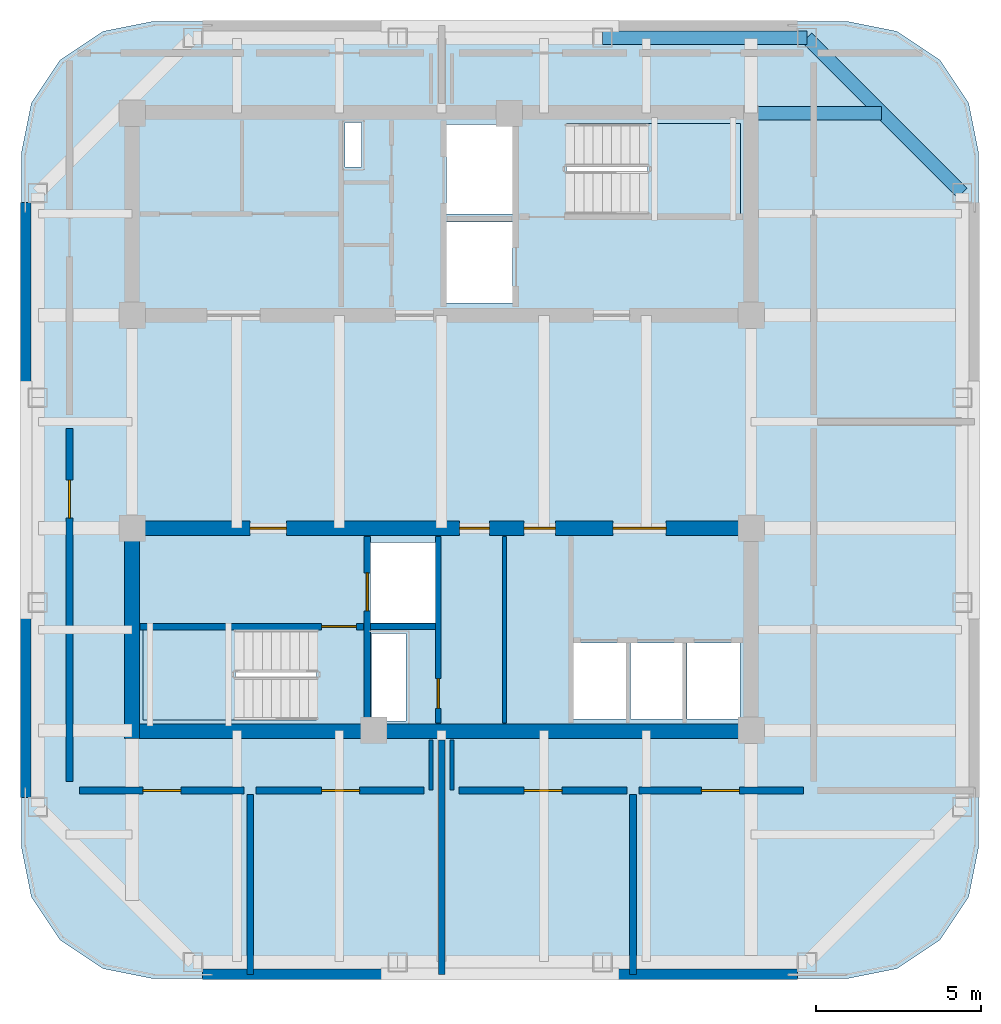
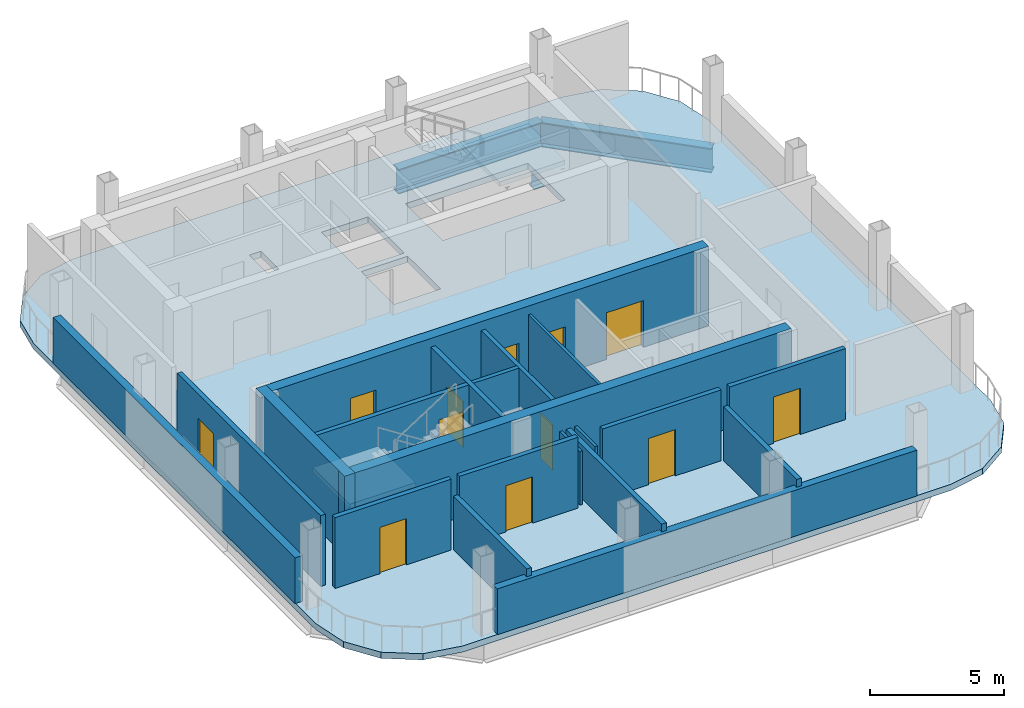
# One storey, part 2 of 7: 20 walls, 12 doors, 3 beams, 3 slabs, 12 openings, 2 elements without a shape of their own.
"""IFC4 building model written with IfcOpenShell, lengths in metres."""

from ifc_helpers import new_model, si_unit, direction, frame, frame_2d, origin, origin_2d, place, context, subcontext, project, spatial, polyline, rectangle, i_section, outline, extrude, material, layer, layer_set, material_profile, profile_set, type_object, element, fill, aggregate, save


model = new_model("IFC4")

# Units and contexts
model_context = context("Model", 3, precision=1e-05, world=origin(), true_north=direction((0.0, 1.0)))
body_context = subcontext(model_context, "Body", "Model", "MODEL_VIEW")
ifc_project = project(units=[si_unit("LENGTHUNIT", "METRE"), si_unit("AREAUNIT", "SQUARE_METRE"), si_unit("VOLUMEUNIT", "CUBIC_METRE"), si_unit("PLANEANGLEUNIT", "RADIAN"), si_unit("MASSUNIT", "GRAM", prefix="KILO")], contexts=[model_context])

# Site, building, storey
site_placement = place(None, origin())
site = spatial("IfcSite", under=ifc_project, at=site_placement, CompositionType="ELEMENT")
building_placement = place(site_placement, origin())
building = spatial("IfcBuilding", under=site, at=building_placement, Name="Qhalaya Broadcast Tower", CompositionType="ELEMENT")
storey_placement = place(building_placement, frame((0.0, 0.0, 234.89990234375)))
storey = spatial("IfcBuildingStorey", under=building, at=storey_placement, Name="L69", CompositionType="ELEMENT", Elevation=234.89990234375)

# Beams
ifc_material_1 = material(Name="Structural Steel ASTM A992 Grade 50", Category="steel")
ifc_material_profile = material_profile(ifc_material_1, i_section(OverallWidth=0.404052734375, OverallDepth=1.117919921875, WebThickness=0.026123046875, FlangeThickness=0.044921875, at=origin_2d()), Name="W44X335")
ifc_profile_set = profile_set([ifc_material_profile], Name="Structural Steel ASTM A992 Grade 50")
beam_type = type_object("IfcBeamType", Name="Podium Long-Span Primary Girder PG1", PredefinedType="USERDEFINED", material=ifc_profile_set)
beam_1_placement = place(storey_placement, frame((15.77001953125, 7.530029296875, -0.8388671875), z_axis=(-0.707106781187, 0.707106781187, 0.0), x_axis=(-0.707106781187, -0.707106781187, 0.0)))
element("IfcBeam", 1, at=beam_1_placement, inside=storey, type_object=beam_type, Name="L69 PG1 L69-SPR-08", ObjectType="GIRDER", PredefinedType="USERDEFINED", context=body_context, shape_type="SweptSolid", body=[
    extrude(i_section(OverallWidth=0.404052734375, OverallDepth=1.117919921875, WebThickness=0.026123046875, FlangeThickness=0.044921875, at=origin_2d()), origin(), (0.0, 0.0, 1.0), 6.646728515625),
])
beam_2_placement = place(storey_placement, frame((11.070068359375, 12.22998046875, -0.8388671875), z_axis=(-1.0, 0.0, 0.0), x_axis=(0.0, -1.0, 0.0)))
element("IfcBeam", 2, at=beam_2_placement, inside=storey, type_object=beam_type, Name="L69 PG1 L69-SPR-09", ObjectType="GIRDER", PredefinedType="USERDEFINED", context=body_context, shape_type="SweptSolid", body=[
    extrude(i_section(OverallWidth=0.404052734375, OverallDepth=1.117919921875, WebThickness=0.026123046875, FlangeThickness=0.044921875, at=origin_2d()), origin(), (0.0, 0.0, 1.0), 6.199951171875),
])
beam_3_placement = place(storey_placement, frame((9.375, 9.949951171875, -0.8388671875), z_axis=(1.0, 0.0, 0.0), x_axis=(0.0, 1.0, 0.0)))
element("IfcBeam", 3, at=beam_3_placement, inside=storey, type_object=beam_type, Name="L69 PG1 L69-PGYE4-1", ObjectType="GIRDER", PredefinedType="USERDEFINED", context=body_context, shape_type="SweptSolid", body=[
    extrude(i_section(OverallWidth=0.404052734375, OverallDepth=1.117919921875, WebThickness=0.026123046875, FlangeThickness=0.044921875, at=origin_2d()), origin(), (0.0, 0.0, 1.0), 3.94677734375),
])

# Slab
ifc_material_2 = material(Name="Concrete C40/50", Category="concrete")
ifc_layer_1 = layer(ifc_material_2, 0.280029296875, Name="Concrete C40/50")
ifc_layer_set_1 = layer_set([ifc_layer_1], Name="Concrete C40/50")
slab_type_1 = type_object("IfcSlabType", Name="Plant & Refuge Heavy Duty Floor Slab 280", PredefinedType="FLOOR", material=ifc_layer_set_1)
slab_1_placement = place(storey_placement, frame((0.0, 0.0, -0.27978515625)))
element("IfcSlab", 4, at=slab_1_placement, inside=storey, type_object=slab_type_1, Name="L69 Main Structural Floor Slab", PredefinedType="FLOOR", context=body_context, shape_type="SweptSolid", body=[
    extrude(outline(polyline([(12.27001953125, -16.27001953125), (13.80078125, -15.965576171875), (15.098388671875, -15.098388671875), (15.965576171875, -13.80078125), (16.27001953125, -12.27001953125), (16.27001953125, 8.72998046875), (15.965576171875, 10.2607421875), (15.098388671875, 11.558349609375), (13.80078125, 12.425537109375), (12.27001953125, 12.72998046875), (-8.72998046875, 12.72998046875), (-10.2607421875, 12.425537109375), (-11.558349609375, 11.558349609375), (-12.425537109375, 10.2607421875), (-12.72998046875, 8.72998046875), (-12.72998046875, -12.27001953125), (-12.425537109375, -13.80078125), (-11.558349609375, -15.098388671875), (-10.2607421875, -15.965576171875), (-8.72998046875, -16.27001953125), (12.27001953125, -16.27001953125)]), holes=[polyline([(3.784912109375, 9.639892578125), (9.050048828125, 9.639892578125), (9.050048828125, 6.8798828125), (3.784912109375, 6.8798828125), (3.784912109375, 9.639892578125)]), polyline([(-3.784912109375, -8.43994140625), (-9.050048828125, -8.43994140625), (-9.050048828125, -5.679931640625), (-3.784912109375, -5.679931640625), (-3.784912109375, -8.43994140625)]), polyline([(0.14990234375, 6.64990234375), (2.14990234375, 6.64990234375), (2.14990234375, 4.199951171875), (0.14990234375, 4.199951171875), (0.14990234375, 6.64990234375)]), polyline([(0.14990234375, 9.60009765625), (2.14990234375, 9.60009765625), (2.14990234375, 6.89990234375), (0.14990234375, 6.89990234375), (0.14990234375, 9.60009765625)]), polyline([(-2.14990234375, -3.050048828125), (-0.14990234375, -3.050048828125), (-0.14990234375, -5.5), (-2.14990234375, -5.5), (-2.14990234375, -3.050048828125)]), polyline([(4.0, -6.10009765625), (5.60009765625, -6.10009765625), (5.60009765625, -8.39990234375), (4.0, -8.39990234375), (4.0, -6.10009765625)]), polyline([(5.719970703125, -6.10009765625), (7.320068359375, -6.10009765625), (7.320068359375, -8.39990234375), (5.719970703125, -8.39990234375), (5.719970703125, -6.10009765625)]), polyline([(7.43994140625, -6.10009765625), (9.0400390625, -6.10009765625), (9.0400390625, -8.39990234375), (7.43994140625, -8.39990234375), (7.43994140625, -6.10009765625)]), polyline([(-2.919921875, 9.659912109375), (-2.419921875, 9.659912109375), (-2.419921875, 8.320068359375), (-2.919921875, 8.320068359375), (-2.919921875, 9.659912109375)]), polyline([(-2.1201171875, -5.820068359375), (-1.080078125, -5.820068359375), (-1.080078125, -8.4599609375), (-2.1201171875, -8.4599609375), (-2.1201171875, -5.820068359375)])]), origin(), (0.0, 0.0, 1.0), 0.27978515625),
])

# Stair, slab
stair_type = type_object("IfcStairType", Name="Protected Dogleg Core Stair 3600", PredefinedType="TWO_STRAIGHT_RUN_STAIR", material=ifc_material_2)
stair_1_placement = place(storey_placement, origin())
stair_1 = element("IfcStair", 5, at=stair_1_placement, inside=storey, type_object=stair_type, Name="L69 North Core Exit Stair ST-1", PredefinedType="TWO_STRAIGHT_RUN_STAIR")
ifc_layer_2 = layer(ifc_material_2, 0.199951171875, Name="Concrete C40/50")
ifc_layer_set_2 = layer_set([ifc_layer_2], Name="Concrete C40/50")
slab_type_2 = type_object("IfcSlabType", Name="Stair & Ramp Half-Landing Slab 200", PredefinedType="LANDING", material=ifc_layer_set_2)
slab_2_placement = place(storey_placement, frame((0.0, 0.0, 1.60009765625)))
slab_2 = element("IfcSlab", 6, at=slab_2_placement, type_object=slab_type_2, Name="ST-1 landing 1", PredefinedType="LANDING", context=body_context, shape_type="SweptSolid", body=[
    extrude(outline(polyline([(6.235107421875, 6.8798828125), (9.050048828125, 6.8798828125), (9.050048828125, 9.639892578125), (6.235107421875, 9.639892578125), (6.235107421875, 6.8798828125)])), origin(), (0.0, 0.0, 1.0), 0.199951171875),
])
aggregate(stair_1, [slab_2])

stair_2_placement = place(storey_placement, origin())
stair_2 = element("IfcStair", 7, at=stair_2_placement, inside=storey, type_object=stair_type, Name="L69 South Core Exit Stair ST-2", PredefinedType="TWO_STRAIGHT_RUN_STAIR")
slab_3_placement = place(storey_placement, frame((0.0, 0.0, 1.60009765625)))
slab_3 = element("IfcSlab", 8, at=slab_3_placement, type_object=slab_type_2, Name="ST-2 landing 1", PredefinedType="LANDING", context=body_context, shape_type="SweptSolid", body=[
    extrude(outline(polyline([(-6.235107421875, -5.679931640625), (-9.050048828125, -5.679931640625), (-9.050048828125, -8.43994140625), (-6.235107421875, -8.43994140625), (-6.235107421875, -5.679931640625)])), origin(), (0.0, 0.0, 1.0), 0.199951171875),
])
aggregate(stair_2, [slab_3])

# Wall
ifc_material_3 = material(Name="Gypsum Acoustic Partition")
ifc_layer_3 = layer(ifc_material_3, 0.199951171875, Name="Gypsum Acoustic Partition")
ifc_layer_set_3 = layer_set([ifc_layer_3], Name="Gypsum Acoustic Partition")
wall_type_1 = type_object("IfcWallType", Name="Firefighting Lobby & Stair Enclosure Wall 200", PredefinedType="PARTITIONING", material=ifc_layer_set_3)
wall_1_placement = place(storey_placement, frame((0.0, -16.14990234375, 0.0), z_axis=(0.0, 0.0, 1.0), x_axis=(0.0, 1.0, 0.0)))
element("IfcWall", 9, at=wall_1_placement, inside=storey, type_object=wall_type_1, Name="L69 Partition Wall W-OBS", PredefinedType="PARTITIONING", context=body_context, shape_type="SweptSolid", body=[
    extrude(rectangle(XDim=7.10986328125, YDim=0.199951171875, at=frame_2d((3.554931640625, 0.0))), origin(), (0.0, 0.0, 1.0), 2.43798828125),
])

# Wall, opening, door
wall_2_placement = place(storey_placement, frame((-10.969970703125, -10.570068359375, 0.0), z_axis=(0.0, 0.0, 1.0), x_axis=(1.0, 0.0, 0.0)))
wall_2 = element("IfcWall", 10, at=wall_2_placement, inside=storey, type_object=wall_type_1, Name="L69 Partition Wall W-PCS0", PredefinedType="PARTITIONING", context=body_context, shape_type="SweptSolid", body=[
    extrude(rectangle(XDim=4.989990234375, YDim=0.199951171875, at=frame_2d((2.4951171875, 0.0))), origin(), (0.0, 0.0, 1.0), 3.22021484375),
])
opening_1_placement = place(wall_2_placement, frame((1.919921875, 0.0, 0.0)))
opening_1 = element("IfcOpeningElement", 11, at=opening_1_placement, cuts=wall_2, Name="Opening D05", PredefinedType="OPENING", context=body_context, shape_type="SweptSolid", body=[
    extrude(rectangle(XDim=1.14990234375, YDim=2.10009765625, at=frame_2d((0.574951171875, 1.050048828125))), frame((0.0, 0.112060546875, 0.0), z_axis=(0.0, -1.0, 0.0), x_axis=(1.0, 0.0, 0.0)), (0.0, 0.0, 1.0), 0.223876953125),
])
ifc_material_4 = material(Name="Fire-Rated Steel Door", Category="steel")
door_type_1 = type_object("IfcDoorType", Name="Refuge & Plant Room Fire Door D05", OperationType="NOTDEFINED", PredefinedType="DOOR", material=ifc_material_4)
door_1_placement = place(opening_1_placement, origin())
door_1 = element("IfcDoor", 12, at=door_1_placement, inside=storey, type_object=door_type_1, Name="L69 Door D-PCS0", OperationType="SINGLE_SWING_RIGHT", OverallHeight=2.10009765625, OverallWidth=1.14990234375, PredefinedType="DOOR", context=body_context, shape_type="SweptSolid", body=[
    extrude(rectangle(XDim=1.14990234375, YDim=2.10009765625, at=frame_2d((0.574951171875, 1.050048828125))), frame((0.0, 0.02490234375, 0.0), z_axis=(0.0, -1.0, 0.0), x_axis=(1.0, 0.0, 0.0)), (0.0, 0.0, 1.0), 0.050048828125),
])
fill(opening_1, door_1)

# Wall
wall_3_placement = place(storey_placement, frame((-5.800048828125, -16.14990234375, 0.0), z_axis=(0.0, 0.0, 1.0), x_axis=(0.0, 1.0, 0.0)))
element("IfcWall", 13, at=wall_3_placement, inside=storey, type_object=wall_type_1, Name="L69 Partition Wall W-PDS1", PredefinedType="PARTITIONING", context=body_context, shape_type="SweptSolid", body=[
    extrude(rectangle(XDim=5.4599609375, YDim=0.199951171875, at=frame_2d((2.72998046875, 0.0))), origin(), (0.0, 0.0, 1.0), 2.43798828125),
])

# Wall, opening, door
wall_4_placement = place(storey_placement, frame((-5.6201171875, -10.570068359375, 0.0), z_axis=(0.0, 0.0, 1.0), x_axis=(1.0, 0.0, 0.0)))
wall_4 = element("IfcWall", 14, at=wall_4_placement, inside=storey, type_object=wall_type_1, Name="L69 Partition Wall W-PCS1", PredefinedType="PARTITIONING", context=body_context, shape_type="SweptSolid", body=[
    extrude(rectangle(XDim=5.090087890625, YDim=0.199951171875, at=frame_2d((2.544921875, 0.0))), origin(), (0.0, 0.0, 1.0), 3.22021484375),
])
opening_2_placement = place(wall_4_placement, frame((1.989990234375, 0.0, 0.0)))
opening_2 = element("IfcOpeningElement", 15, at=opening_2_placement, cuts=wall_4, Name="Opening D05", PredefinedType="OPENING", context=body_context, shape_type="SweptSolid", body=[
    extrude(rectangle(XDim=1.14990234375, YDim=2.10009765625, at=frame_2d((0.574951171875, 1.050048828125))), frame((0.0, 0.112060546875, 0.0), z_axis=(0.0, -1.0, 0.0), x_axis=(1.0, 0.0, 0.0)), (0.0, 0.0, 1.0), 0.223876953125),
])
door_2_placement = place(opening_2_placement, origin())
door_2 = element("IfcDoor", 16, at=door_2_placement, inside=storey, type_object=door_type_1, Name="L69 Door D-PCS1", OperationType="SINGLE_SWING_RIGHT", OverallHeight=2.10009765625, OverallWidth=1.14990234375, PredefinedType="DOOR", context=body_context, shape_type="SweptSolid", body=[
    extrude(rectangle(XDim=1.14990234375, YDim=2.10009765625, at=frame_2d((0.574951171875, 1.050048828125))), frame((0.0, 0.02490234375, 0.0), z_axis=(0.0, -1.0, 0.0), x_axis=(1.0, 0.0, 0.0)), (0.0, 0.0, 1.0), 0.050048828125),
])
fill(opening_2, door_2)

wall_5_placement = place(storey_placement, frame((0.530029296875, -10.570068359375, 0.0), z_axis=(0.0, 0.0, 1.0), x_axis=(1.0, 0.0, 0.0)))
wall_5 = element("IfcWall", 17, at=wall_5_placement, inside=storey, type_object=wall_type_1, Name="L69 Partition Wall W-PCS2", PredefinedType="PARTITIONING", context=body_context, shape_type="SweptSolid", body=[
    extrude(rectangle(XDim=5.090087890625, YDim=0.199951171875, at=frame_2d((2.544921875, 0.0))), origin(), (0.0, 0.0, 1.0), 3.22021484375),
])
opening_3_placement = place(wall_5_placement, frame((1.969970703125, 0.0, 0.0)))
opening_3 = element("IfcOpeningElement", 18, at=opening_3_placement, cuts=wall_5, Name="Opening D05", PredefinedType="OPENING", context=body_context, shape_type="SweptSolid", body=[
    extrude(rectangle(XDim=1.14990234375, YDim=2.10009765625, at=frame_2d((0.574951171875, 1.050048828125))), frame((0.0, 0.112060546875, 0.0), z_axis=(0.0, -1.0, 0.0), x_axis=(1.0, 0.0, 0.0)), (0.0, 0.0, 1.0), 0.223876953125),
])
door_3_placement = place(opening_3_placement, origin())
door_3 = element("IfcDoor", 19, at=door_3_placement, inside=storey, type_object=door_type_1, Name="L69 Door D-PCS2", OperationType="SINGLE_SWING_RIGHT", OverallHeight=2.10009765625, OverallWidth=1.14990234375, PredefinedType="DOOR", context=body_context, shape_type="SweptSolid", body=[
    extrude(rectangle(XDim=1.14990234375, YDim=2.10009765625, at=frame_2d((0.574951171875, 1.050048828125))), frame((0.0, 0.02490234375, 0.0), z_axis=(0.0, -1.0, 0.0), x_axis=(1.0, 0.0, 0.0)), (0.0, 0.0, 1.0), 0.050048828125),
])
fill(opening_3, door_3)

# Wall
wall_6_placement = place(storey_placement, frame((5.800048828125, -16.14990234375, 0.0), z_axis=(0.0, 0.0, 1.0), x_axis=(0.0, 1.0, 0.0)))
element("IfcWall", 20, at=wall_6_placement, inside=storey, type_object=wall_type_1, Name="L69 Partition Wall W-PDS3", PredefinedType="PARTITIONING", context=body_context, shape_type="SweptSolid", body=[
    extrude(rectangle(XDim=5.4599609375, YDim=0.199951171875, at=frame_2d((2.72998046875, 0.0))), origin(), (0.0, 0.0, 1.0), 2.43798828125),
])

# Wall, opening, door
wall_7_placement = place(storey_placement, frame((5.97998046875, -10.570068359375, 0.0), z_axis=(0.0, 0.0, 1.0), x_axis=(1.0, 0.0, 0.0)))
wall_7 = element("IfcWall", 21, at=wall_7_placement, inside=storey, type_object=wall_type_1, Name="L69 Partition Wall W-PCS3", PredefinedType="PARTITIONING", context=body_context, shape_type="SweptSolid", body=[
    extrude(rectangle(XDim=4.989990234375, YDim=0.199951171875, at=frame_2d((2.4951171875, 0.0))), origin(), (0.0, 0.0, 1.0), 3.22021484375),
])
opening_4_placement = place(wall_7_placement, frame((1.889892578125, 0.0, 0.0)))
opening_4 = element("IfcOpeningElement", 22, at=opening_4_placement, cuts=wall_7, Name="Opening D05", PredefinedType="OPENING", context=body_context, shape_type="SweptSolid", body=[
    extrude(rectangle(XDim=1.14990234375, YDim=2.10009765625, at=frame_2d((0.574951171875, 1.050048828125))), frame((0.0, 0.112060546875, 0.0), z_axis=(0.0, -1.0, 0.0), x_axis=(1.0, 0.0, 0.0)), (0.0, 0.0, 1.0), 0.223876953125),
])
door_4_placement = place(opening_4_placement, origin())
door_4 = element("IfcDoor", 23, at=door_4_placement, inside=storey, type_object=door_type_1, Name="L69 Door D-PCS3", OperationType="SINGLE_SWING_RIGHT", OverallHeight=2.10009765625, OverallWidth=1.14990234375, PredefinedType="DOOR", context=body_context, shape_type="SweptSolid", body=[
    extrude(rectangle(XDim=1.14990234375, YDim=2.10009765625, at=frame_2d((0.574951171875, 1.050048828125))), frame((0.0, 0.02490234375, 0.0), z_axis=(0.0, -1.0, 0.0), x_axis=(1.0, 0.0, 0.0)), (0.0, 0.0, 1.0), 0.050048828125),
])
fill(opening_4, door_4)

wall_8_placement = place(storey_placement, frame((-11.27001953125, 0.389892578125, 0.0), z_axis=(0.0, 0.0, 1.0), x_axis=(0.0, -1.0, 0.0)))
wall_8 = element("IfcWall", 24, at=wall_8_placement, inside=storey, type_object=wall_type_1, Name="L69 Partition Wall W-PCW1", PredefinedType="PARTITIONING", context=body_context, shape_type="SweptSolid", body=[
    extrude(rectangle(XDim=10.679931640625, YDim=0.199951171875, at=frame_2d((5.33984375, 0.0))), origin(), (0.0, 0.0, 1.0), 3.22021484375),
])
opening_5_placement = place(wall_8_placement, frame((1.56103515625, 0.0, 0.0)))
opening_5 = element("IfcOpeningElement", 25, at=opening_5_placement, cuts=wall_8, Name="Opening D05", PredefinedType="OPENING", context=body_context, shape_type="SweptSolid", body=[
    extrude(rectangle(XDim=1.14990234375, YDim=2.10009765625, at=frame_2d((0.574951171875, 1.050048828125))), frame((0.0, 0.112060546875, 0.0), z_axis=(0.0, -1.0, 0.0), x_axis=(1.0, 0.0, 0.0)), (0.0, 0.0, 1.0), 0.223876953125),
])
door_5_placement = place(opening_5_placement, origin())
door_5 = element("IfcDoor", 26, at=door_5_placement, inside=storey, type_object=door_type_1, Name="L69 Door D-PCW1", OperationType="SINGLE_SWING_LEFT", OverallHeight=2.10009765625, OverallWidth=1.14990234375, PredefinedType="DOOR", context=body_context, shape_type="SweptSolid", body=[
    extrude(rectangle(XDim=1.14990234375, YDim=2.10009765625, at=frame_2d((0.574951171875, 1.050048828125))), frame((0.0, 0.02490234375, 0.0), z_axis=(0.0, -1.0, 0.0), x_axis=(1.0, 0.0, 0.0)), (0.0, 0.0, 1.0), 0.050048828125),
])
fill(opening_5, door_5)

ifc_material_5 = material(Name="Concrete C50/60", Category="concrete")
ifc_layer_4 = layer(ifc_material_5, 0.199951171875, Name="Concrete C50/60")
ifc_layer_set_4 = layer_set([ifc_layer_4], Name="Concrete C50/60")
wall_type_2 = type_object("IfcWallType", Name="Load-Bearing Stair Shaft Wall 200", PredefinedType="SHEAR", material=ifc_layer_set_4)
wall_9_placement = place(storey_placement, frame((-9.1298828125, -5.60498046875, 0.0), z_axis=(0.0, 0.0, 1.0), x_axis=(1.0, 0.0, 0.0)))
wall_9 = element("IfcWall", 27, at=wall_9_placement, inside=storey, type_object=wall_type_2, Name="L69 Stair Core Shear Wall SCW-ST2", PredefinedType="SHEAR", context=body_context, shape_type="SweptSolid", body=[
    extrude(rectangle(XDim=6.769775390625, YDim=0.199951171875, at=frame_2d((3.384765625, 0.0))), origin(), (0.0, 0.0, 1.0), 3.22021484375),
])
opening_6_placement = place(wall_9_placement, frame((5.5, 0.0, 0.0)))
opening_6 = element("IfcOpeningElement", 28, at=opening_6_placement, cuts=wall_9, Name="Opening D03", PredefinedType="OPENING", context=body_context, shape_type="SweptSolid", body=[
    extrude(rectangle(XDim=1.050048828125, YDim=2.080078125, at=frame_2d((0.52490234375, 1.0400390625))), frame((0.0, 0.112060546875, 0.0), z_axis=(0.0, -1.0, 0.0), x_axis=(1.0, 0.0, 0.0)), (0.0, 0.0, 1.0), 0.223876953125),
])
door_type_2 = type_object("IfcDoorType", Name="Core Stair Protected Fire Door D03", OperationType="NOTDEFINED", PredefinedType="DOOR", material=ifc_material_4)
door_6_placement = place(opening_6_placement, origin())
door_6 = element("IfcDoor", 29, at=door_6_placement, inside=storey, type_object=door_type_2, Name="L69 Door D-SST2", OperationType="SINGLE_SWING_RIGHT", OverallHeight=2.080078125, OverallWidth=1.050048828125, PredefinedType="DOOR", context=body_context, shape_type="SweptSolid", body=[
    extrude(rectangle(XDim=1.050048828125, YDim=2.080078125, at=frame_2d((0.52490234375, 1.0400390625))), frame((0.0, 0.02490234375, 0.0), z_axis=(0.0, -1.0, 0.0), x_axis=(1.0, 0.0, 0.0)), (0.0, 0.0, 1.0), 0.050048828125),
])
fill(opening_6, door_6)

wall_10_placement = place(storey_placement, frame((-2.25, -8.530029296875, 0.0), z_axis=(0.0, 0.0, 1.0), x_axis=(0.0, 1.0, 0.0)))
wall_10 = element("IfcWall", 30, at=wall_10_placement, inside=storey, type_object=wall_type_2, Name="L69 Stair Core Shear Wall SCW-FF", PredefinedType="SHEAR", context=body_context, shape_type="SweptSolid", body=[
    extrude(rectangle(XDim=5.659912109375, YDim=0.199951171875, at=frame_2d((2.830078125, 0.0))), origin(), (0.0, 0.0, 1.0), 3.22021484375),
])
opening_7_placement = place(wall_10_placement, frame((3.39990234375, 0.0, 0.0)))
opening_7 = element("IfcOpeningElement", 31, at=opening_7_placement, cuts=wall_10, Name="Opening LD2", PredefinedType="OPENING", context=body_context, shape_type="SweptSolid", body=[
    extrude(rectangle(XDim=1.14990234375, YDim=2.080078125, at=frame_2d((0.574951171875, 1.0400390625))), frame((0.0, 0.112060546875, 0.0), z_axis=(0.0, -1.0, 0.0), x_axis=(1.0, 0.0, 0.0)), (0.0, 0.0, 1.0), 0.223876953125),
])
ifc_material_6 = material(Name="Brushed Stainless Steel Lift Door", Category="steel")
door_type_3 = type_object("IfcDoorType", Name="Firefighting Lift Sliding Landing Door LD2", OperationType="DOUBLE_DOOR_SLIDING", PredefinedType="DOOR", material=ifc_material_6)
door_7_placement = place(opening_7_placement, origin())
door_7 = element("IfcDoor", 32, at=door_7_placement, inside=storey, type_object=door_type_3, Name="L69 Door LD-FF2", OperationType="DOUBLE_DOOR_SLIDING", OverallHeight=2.080078125, OverallWidth=1.14990234375, PredefinedType="DOOR", context=body_context, shape_type="SweptSolid", body=[
    extrude(rectangle(XDim=1.14990234375, YDim=2.080078125, at=frame_2d((0.574951171875, 1.0400390625))), frame((0.0, 0.02490234375, 0.0), z_axis=(0.0, -1.0, 0.0), x_axis=(1.0, 0.0, 0.0)), (0.0, 0.0, 1.0), 0.050048828125),
])
fill(opening_7, door_7)

# Walls
ifc_layer_5 = layer(ifc_material_3, 0.1201171875, Name="Gypsum Acoustic Partition")
ifc_layer_set_5 = layer_set([ifc_layer_5], Name="Gypsum Acoustic Partition")
wall_type_3 = type_object("IfcWallType", Name="Office, Booth & Sanitary Partition 120", PredefinedType="PARTITIONING", material=ifc_layer_set_5)
wall_11_placement = place(storey_placement, frame((1.89990234375, -8.530029296875, 0.0), z_axis=(0.0, 0.0, 1.0), x_axis=(0.0, 1.0, 0.0)))
element("IfcWall", 33, at=wall_11_placement, inside=storey, type_object=wall_type_3, Name="L69 Partition Wall SCW-RKB", PredefinedType="PARTITIONING", context=body_context, shape_type="SweptSolid", body=[
    extrude(rectangle(XDim=5.659912109375, YDim=0.1201171875, at=frame_2d((2.830078125, 0.0))), origin(), (0.0, 0.0, 1.0), 3.22021484375),
])
for number, where, z_axis, x_axis, name in (
    (34, (-0.320068359375, -10.550048828125, 0.0), (0.0, 0.0, 1.0), (0.0, 1.0, 0.0), "L69 Partition Wall W-OBSCW"),
    (35, (0.320068359375, -10.550048828125, 0.0), (0.0, 0.0, 1.0), (0.0, 1.0, 0.0), "L69 Partition Wall W-OBSCE"),
):
    element("IfcWall", number, at=place(storey_placement, frame(where, z_axis=z_axis, x_axis=x_axis)), inside=storey, type_object=wall_type_3, Name=name, PredefinedType="PARTITIONING", context=body_context, shape_type="SweptSolid", body=[
        extrude(rectangle(XDim=1.510009765625, YDim=0.1201171875, at=frame_2d((0.7548828125, 0.0))), origin(), (0.0, 0.0, 1.0), 2.43798828125),
    ])
ifc_material_7 = material(Name="Precast Concrete C40/50", Category="concrete")
ifc_layer_6 = layer(ifc_material_7, 0.320068359375, Name="Precast Concrete C40/50")
ifc_layer_set_6 = layer_set([ifc_layer_6], Name="Precast Concrete C40/50")
wall_type_4 = type_object("IfcWallType", Name="Recessed Neck Insulated Exterior Wall 320", PredefinedType="SOLIDWALL", material=ifc_layer_set_6)
for number, where, z_axis, x_axis, name in (
    (36, (10.781982421875, -16.1298828125, 0.0), (0.0, 0.0, 1.0), (-1.0, 0.0, 0.0), "L69 Exterior Facade Wall S"),
    (37, (-12.590087890625, -10.781982421875, 0.0), (0.0, 0.0, 1.0), (0.0, 1.0, 0.0), "L69 Exterior Facade Wall W"),
):
    element("IfcWall", number, at=place(storey_placement, frame(where, z_axis=z_axis, x_axis=x_axis)), inside=storey, type_object=wall_type_4, Name=name, PredefinedType="SOLIDWALL", context=body_context, shape_type="SweptSolid", body=[
        extrude(rectangle(XDim=18.02392578125, YDim=0.320068359375, at=frame_2d((9.011962890625, 0.0))), origin(), (0.0, 0.0, 1.0), 2.08203125),
    ])

# Wall, opening, door
ifc_layer_7 = layer(ifc_material_3, 0.175048828125, Name="Gypsum Acoustic Partition")
ifc_layer_set_7 = layer_set([ifc_layer_7], Name="Gypsum Acoustic Partition")
wall_type_5 = type_object("IfcWallType", Name="Shaft & Riser Fire Partition 175", PredefinedType="PARTITIONING", material=ifc_layer_set_7)
wall_12_placement = place(storey_placement, frame((-0.10009765625, -8.530029296875, 0.0), z_axis=(0.0, 0.0, 1.0), x_axis=(0.0, 1.0, 0.0)))
wall_12 = element("IfcWall", 38, at=wall_12_placement, inside=storey, type_object=wall_type_5, Name="L69 Partition Wall SCW-FFE", PredefinedType="PARTITIONING", context=body_context, shape_type="SweptSolid", body=[
    extrude(rectangle(XDim=5.659912109375, YDim=0.175048828125, at=frame_2d((2.830078125, 0.0))), origin(), (0.0, 0.0, 1.0), 3.22021484375),
])
opening_8_placement = place(wall_12_placement, frame((0.449951171875, 0.0, 0.0)))
opening_8 = element("IfcOpeningElement", 39, at=opening_8_placement, cuts=wall_12, Name="Opening D06", PredefinedType="OPENING", context=body_context, shape_type="SweptSolid", body=[
    extrude(rectangle(XDim=0.89990234375, YDim=2.050048828125, at=frame_2d((0.449951171875, 1.02490234375))), frame((0.0, 0.099609375, 0.0), z_axis=(0.0, -1.0, 0.0), x_axis=(1.0, 0.0, 0.0)), (0.0, 0.0, 1.0), 0.198974609375),
])
door_type_4 = type_object("IfcDoorType", Name="Riser & Electrical Shaft Access Door D06", OperationType="NOTDEFINED", PredefinedType="DOOR", material=ifc_material_4)
door_8_placement = place(opening_8_placement, origin())
door_8 = element("IfcDoor", 40, at=door_8_placement, inside=storey, type_object=door_type_4, Name="L69 Riser Shaft Access Door D-SRSR", OperationType="SINGLE_SWING_LEFT", OverallHeight=2.050048828125, OverallWidth=0.89990234375, PredefinedType="DOOR", context=body_context, shape_type="SweptSolid", body=[
    extrude(rectangle(XDim=0.89990234375, YDim=2.050048828125, at=frame_2d((0.449951171875, 1.02490234375))), frame((0.0, 0.02490234375, 0.0), z_axis=(0.0, -1.0, 0.0), x_axis=(1.0, 0.0, 0.0)), (0.0, 0.0, 1.0), 0.050048828125),
])
fill(opening_8, door_8)

# Walls
wall_13_placement = place(storey_placement, frame((-2.14990234375, -5.60009765625, 0.0), z_axis=(0.0, 0.0, 1.0), x_axis=(1.0, 0.0, 0.0)))
element("IfcWall", 41, at=wall_13_placement, inside=storey, type_object=wall_type_5, Name="L69 Partition Wall SCW-FFM", PredefinedType="PARTITIONING", context=body_context, shape_type="SweptSolid", body=[
    extrude(rectangle(XDim=1.969970703125, YDim=0.175048828125, at=frame_2d((0.98486328125, 0.0))), origin(), (0.0, 0.0, 1.0), 3.22021484375),
])
ifc_layer_8 = layer(ifc_material_5, 0.449951171875, Name="Concrete C50/60")
ifc_layer_set_8 = layer_set([ifc_layer_8], Name="Concrete C50/60")
wall_type_6 = type_object("IfcWallType", Name="Upper Split-Core Shear Wall 450", PredefinedType="SHEAR", material=ifc_layer_set_8)
wall_14_placement = place(storey_placement, frame((-9.60009765625, -8.77490234375, 0.0), z_axis=(0.0, 0.0, 1.0), x_axis=(1.0, 0.0, 0.0)))
element("IfcWall", 42, at=wall_14_placement, inside=storey, type_object=wall_type_6, Name="L69 Split-Core Shear Wall CW-SS", PredefinedType="SHEAR", context=body_context, shape_type="SweptSolid", body=[
    extrude(rectangle(XDim=19.2001953125, YDim=0.449951171875, at=frame_2d((9.60009765625, 0.0))), origin(), (0.0, 0.0, 1.0), 3.60009765625),
])

# Wall, openings, doors
wall_15_placement = place(storey_placement, frame((-9.60009765625, -2.625, 0.0), z_axis=(0.0, 0.0, 1.0), x_axis=(1.0, 0.0, 0.0)))
wall_15 = element("IfcWall", 43, at=wall_15_placement, inside=storey, type_object=wall_type_6, Name="L69 Split-Core Shear Wall CW-SN", PredefinedType="SHEAR", context=body_context, shape_type="SweptSolid", body=[
    extrude(rectangle(XDim=19.2001953125, YDim=0.449951171875, at=frame_2d((9.60009765625, 0.0))), origin(), (0.0, 0.0, 1.0), 3.60009765625),
])
opening_9_placement = place(wall_15_placement, frame((3.800048828125, 0.0, 0.0)))
opening_9 = element("IfcOpeningElement", 44, at=opening_9_placement, cuts=wall_15, Name="Opening D04", PredefinedType="OPENING", context=body_context, shape_type="SweptSolid", body=[
    extrude(rectangle(XDim=1.10009765625, YDim=2.080078125, at=frame_2d((0.550048828125, 1.0400390625))), frame((0.0, 0.237060546875, 0.0), z_axis=(0.0, -1.0, 0.0), x_axis=(1.0, 0.0, 0.0)), (0.0, 0.0, 1.0), 0.473876953125),
])
opening_10_placement = place(wall_15_placement, frame((10.14990234375, 0.0, 0.0)))
opening_10 = element("IfcOpeningElement", 45, at=opening_10_placement, cuts=wall_15, Name="Opening D06", PredefinedType="OPENING", context=body_context, shape_type="SweptSolid", body=[
    extrude(rectangle(XDim=0.89990234375, YDim=2.050048828125, at=frame_2d((0.449951171875, 1.02490234375))), frame((0.0, 0.237060546875, 0.0), z_axis=(0.0, -1.0, 0.0), x_axis=(1.0, 0.0, 0.0)), (0.0, 0.0, 1.0), 0.473876953125),
])
opening_11_placement = place(wall_15_placement, frame((12.10009765625, 0.0, 0.0)))
opening_11 = element("IfcOpeningElement", 46, at=opening_11_placement, cuts=wall_15, Name="Opening D10", PredefinedType="OPENING", context=body_context, shape_type="SweptSolid", body=[
    extrude(rectangle(XDim=0.949951171875, YDim=2.10009765625, at=frame_2d((0.47509765625, 1.050048828125))), frame((0.0, 0.237060546875, 0.0), z_axis=(0.0, -1.0, 0.0), x_axis=(1.0, 0.0, 0.0)), (0.0, 0.0, 1.0), 0.473876953125),
])
opening_12_placement = place(wall_15_placement, frame((14.800048828125, 0.0, 0.0)))
opening_12 = element("IfcOpeningElement", 47, at=opening_12_placement, cuts=wall_15, Name="Opening D07", PredefinedType="OPENING", context=body_context, shape_type="SweptSolid", body=[
    extrude(rectangle(XDim=1.60009765625, YDim=2.1201171875, at=frame_2d((0.800048828125, 1.06005859375))), frame((0.0, 0.237060546875, 0.0), z_axis=(0.0, -1.0, 0.0), x_axis=(1.0, 0.0, 0.0)), (0.0, 0.0, 1.0), 0.473876953125),
])
ifc_material_8 = material(Name="Timber Veneer Acoustic Door", Category="wood")
door_type_5 = type_object("IfcDoorType", Name="Cellular Office & Edit Booth Door D10", OperationType="NOTDEFINED", PredefinedType="DOOR", material=ifc_material_8)
door_9_placement = place(opening_11_placement, origin())
door_9 = element("IfcDoor", 48, at=door_9_placement, inside=storey, type_object=door_type_5, Name="L69 Door D-SREC2", OperationType="SINGLE_SWING_RIGHT", OverallHeight=2.10009765625, OverallWidth=0.949951171875, PredefinedType="DOOR", context=body_context, shape_type="SweptSolid", body=[
    extrude(rectangle(XDim=0.949951171875, YDim=2.10009765625, at=frame_2d((0.47509765625, 1.050048828125))), frame((0.0, 0.02490234375, 0.0), z_axis=(0.0, -1.0, 0.0), x_axis=(1.0, 0.0, 0.0)), (0.0, 0.0, 1.0), 0.050048828125),
])
fill(opening_11, door_9)
door_type_6 = type_object("IfcDoorType", Name="Firefighting Lobby Rated Door D04", OperationType="NOTDEFINED", PredefinedType="DOOR", material=ifc_material_4)
door_10_placement = place(opening_9_placement, origin())
door_10 = element("IfcDoor", 49, at=door_10_placement, inside=storey, type_object=door_type_6, Name="L69 Door D-SFF", OperationType="SINGLE_SWING_LEFT", OverallHeight=2.080078125, OverallWidth=1.10009765625, PredefinedType="DOOR", context=body_context, shape_type="SweptSolid", body=[
    extrude(rectangle(XDim=1.10009765625, YDim=2.080078125, at=frame_2d((0.550048828125, 1.0400390625))), frame((0.0, 0.02490234375, 0.0), z_axis=(0.0, -1.0, 0.0), x_axis=(1.0, 0.0, 0.0)), (0.0, 0.0, 1.0), 0.050048828125),
])
fill(opening_9, door_10)
ifc_material_9 = material(Name="Anodised Aluminium Glazed Door", Category="aluminium")
door_type_7 = type_object("IfcDoorType", Name="Passenger Lift Lobby Double Glazed Door D07", OperationType="DOUBLE_DOOR_SINGLE_SWING", PredefinedType="DOOR", material=ifc_material_9)
door_11_placement = place(opening_12_placement, origin())
door_11 = element("IfcDoor", 50, at=door_11_placement, inside=storey, type_object=door_type_7, Name="L69 Door D-SPLL", OperationType="DOUBLE_DOOR_SINGLE_SWING", OverallHeight=2.1201171875, OverallWidth=1.60009765625, PredefinedType="DOOR", context=body_context, shape_type="SweptSolid", body=[
    extrude(rectangle(XDim=1.60009765625, YDim=2.1201171875, at=frame_2d((0.800048828125, 1.06005859375))), frame((0.0, 0.02490234375, 0.0), z_axis=(0.0, -1.0, 0.0), x_axis=(1.0, 0.0, 0.0)), (0.0, 0.0, 1.0), 0.050048828125),
])
fill(opening_12, door_11)
door_12_placement = place(opening_10_placement, origin())
door_12 = element("IfcDoor", 51, at=door_12_placement, inside=storey, type_object=door_type_4, Name="L69 Door D-SREC1", OperationType="SINGLE_SWING_LEFT", OverallHeight=2.050048828125, OverallWidth=0.89990234375, PredefinedType="DOOR", context=body_context, shape_type="SweptSolid", body=[
    extrude(rectangle(XDim=0.89990234375, YDim=2.050048828125, at=frame_2d((0.449951171875, 1.02490234375))), frame((0.0, 0.02490234375, 0.0), z_axis=(0.0, -1.0, 0.0), x_axis=(1.0, 0.0, 0.0)), (0.0, 0.0, 1.0), 0.050048828125),
])
fill(opening_10, door_12)

# Wall
wall_16_placement = place(storey_placement, frame((-9.375, -9.0, 0.0), z_axis=(0.0, 0.0, 1.0), x_axis=(0.0, 1.0, 0.0)))
element("IfcWall", 52, at=wall_16_placement, inside=storey, type_object=wall_type_6, Name="L69 Split-Core Shear Wall CW-SW", PredefinedType="SHEAR", context=body_context, shape_type="SweptSolid", body=[
    extrude(rectangle(XDim=6.60009765625, YDim=0.449951171875, at=frame_2d((3.300048828125, 0.0))), origin(), (0.0, 0.0, 1.0), 3.60009765625),
])

save(model, "model.ifc")
